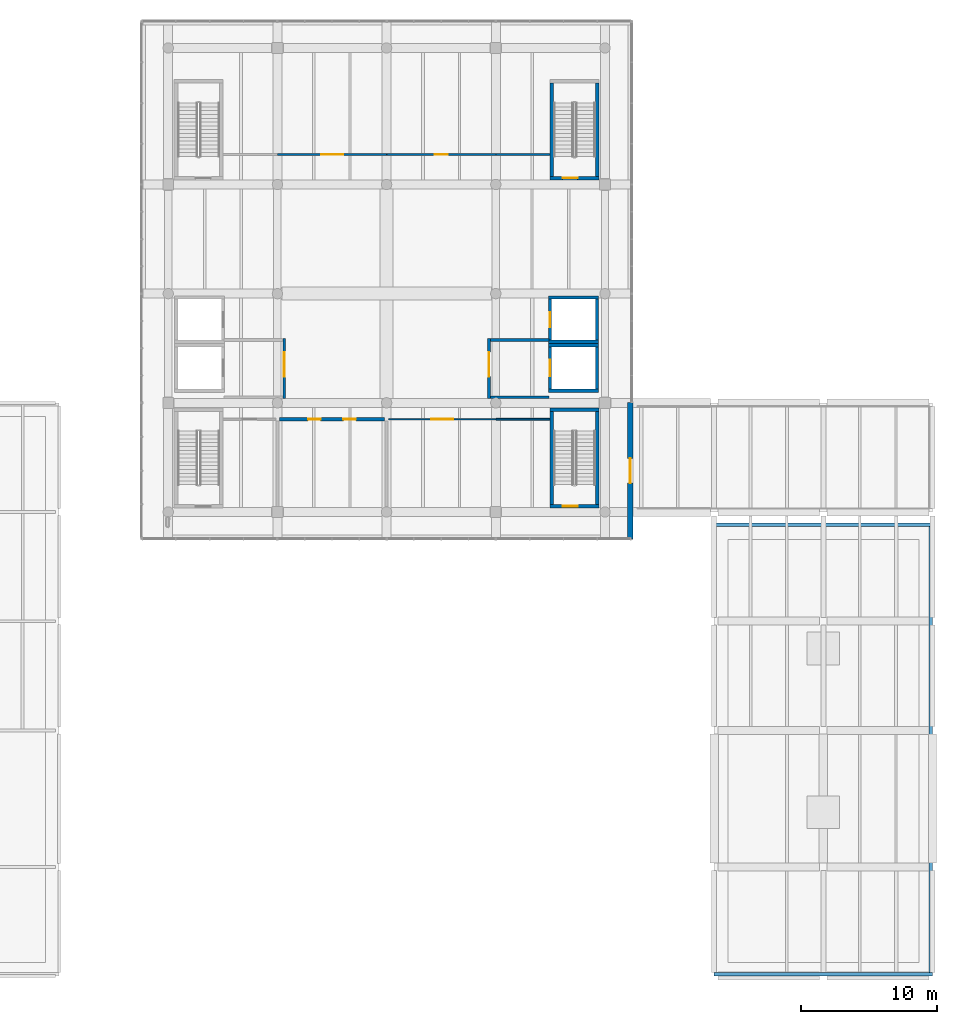
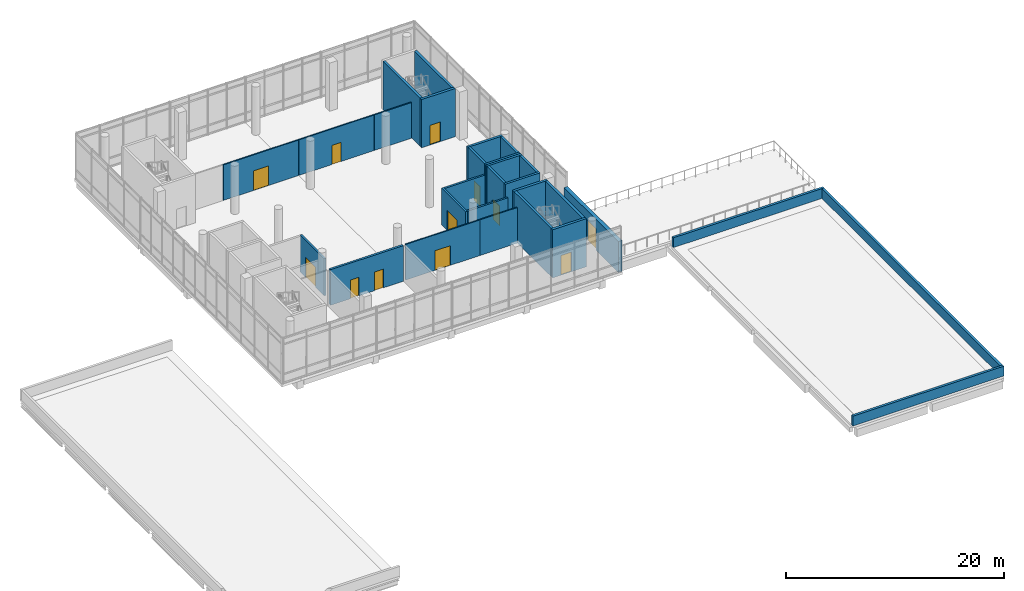
# One storey, part 14 of 20: 29 walls, 12 doors, 12 openings.
"""IFC4 building model written with IfcOpenShell, lengths in metres."""

from ifc_helpers import new_model, si_unit, direction, frame, frame_2d, origin, place, context, subcontext, project, spatial, rectangle, extrude, material, layer, layer_set, type_object, element, fill, save


model = new_model("IFC4")

# Units and contexts
model_context = context("Model", 3, precision=1e-05, world=origin(), true_north=direction((0.0, 1.0)))
body_context = subcontext(model_context, "Body", "Model", "MODEL_VIEW")
ifc_project = project(units=[si_unit("LENGTHUNIT", "METRE"), si_unit("AREAUNIT", "SQUARE_METRE"), si_unit("VOLUMEUNIT", "CUBIC_METRE"), si_unit("PLANEANGLEUNIT", "RADIAN"), si_unit("MASSUNIT", "GRAM", prefix="KILO")], contexts=[model_context])

# Site, building, storey
site_placement = place(None, origin())
site = spatial("IfcSite", under=ifc_project, at=site_placement, CompositionType="ELEMENT")
building_placement = place(site_placement, origin())
building = spatial("IfcBuilding", under=site, at=building_placement, Name="Pecanmere Concourse Central Library", CompositionType="ELEMENT")
storey_placement = place(building_placement, frame((0.0, 0.0, 24.89990234375)))
storey = spatial("IfcBuildingStorey", under=building, at=storey_placement, Name="L06", CompositionType="ELEMENT", Elevation=24.89990234375)

# Wall, opening, door
ifc_material_1 = material(Name="Texas cream limestone ashlar masonry", Category="masonry")
ifc_layer_1 = layer(ifc_material_1, 0.389892578125, Name="EW_LIME_390")
ifc_layer_set_1 = layer_set([ifc_layer_1], Name="Texas cream limestone ashlar masonry")
wall_type_1 = type_object("IfcWallType", Name="EW_LIME_390", PredefinedType="STANDARD", material=ifc_layer_set_1)
wall_1_placement = place(storey_placement, frame((105.846435546875, 88.03857421875, 0.0), z_axis=(0.0, 0.0, 1.0), x_axis=(0.0, 1.0, 0.0)))
wall_1 = element("IfcWall", 1, at=wall_1_placement, inside=storey, type_object=wall_type_1, Name="Limestone Facade Wall L06-0224", PredefinedType="STANDARD", context=body_context, shape_type="SweptSolid", body=[
    extrude(rectangle(XDim=9.971435546875, YDim=0.389892578125, at=frame_2d((4.98583984375, 0.0))), origin(), (0.0, 0.0, 1.0), 3.460205078125),
])
opening_1_placement = place(wall_1_placement, frame((4.085693359375, 0.0, 0.0)))
opening_1 = element("IfcOpeningElement", 2, at=opening_1_placement, cuts=wall_1, Name="Opening ED-03", PredefinedType="OPENING", context=body_context, shape_type="SweptSolid", body=[
    extrude(rectangle(XDim=1.800048828125, YDim=2.39990234375, at=frame_2d((0.89990234375, 1.199951171875))), frame((0.0, 0.20703125, 0.0), z_axis=(0.0, -1.0, 0.0), x_axis=(1.0, 0.0, 0.0)), (0.0, 0.0, 1.0), 0.413818359375),
])
ifc_material_2 = material(Name="Architectural anodized bronze")
door_type_1 = type_object("IfcDoorType", Name="ED-03", OperationType="DOUBLE_DOOR_SINGLE_SWING", PredefinedType="DOOR", material=ifc_material_2)
door_1_placement = place(opening_1_placement, frame((1.800048828125, 0.0, 0.0), z_axis=(0.0, 0.0, 1.0), x_axis=(-1.0, 0.0, 0.0)))
door_1 = element("IfcDoor", 3, at=door_1_placement, inside=storey, type_object=door_type_1, Name="ED-023", OperationType="DOUBLE_DOOR_SINGLE_SWING", OverallHeight=2.39990234375, OverallWidth=1.800048828125, PredefinedType="DOOR", context=body_context, shape_type="SweptSolid", body=[
    extrude(rectangle(XDim=1.800048828125, YDim=2.39990234375, at=frame_2d((0.89990234375, 1.199951171875))), frame((0.0, 0.02490234375, 0.0), z_axis=(0.0, -1.0, 0.0), x_axis=(1.0, 0.0, 0.0)), (0.0, 0.0, 1.0), 0.050048828125),
])
fill(opening_1, door_1)

ifc_material_3 = material(Name="Fire-rated gypsum board on acoustic steel stud", Category="steel")
ifc_layer_2 = layer(ifc_material_3, 0.135009765625, Name="IW_PART_135")
ifc_layer_set_2 = layer_set([ifc_layer_2], Name="Fire-rated gypsum board on acoustic steel stud")
wall_type_2 = type_object("IfcWallType", Name="IW_PART_135", PredefinedType="PARTITIONING", material=ifc_layer_set_2)
wall_2_placement = place(storey_placement, frame((88.139892578125, 96.800048828125, 0.0), z_axis=(0.0, 0.0, 1.0), x_axis=(1.0, 0.0, 0.0)))
wall_2 = element("IfcWall", 4, at=wall_2_placement, inside=storey, type_object=wall_type_2, Name="Interior Partition L06-0220", PredefinedType="PARTITIONING", context=body_context, shape_type="SweptSolid", body=[
    extrude(rectangle(XDim=7.860107421875, YDim=0.135009765625, at=frame_2d((3.93017578125, 0.0))), origin(), (0.0, 0.0, 1.0), 3.989990234375),
])
opening_2_placement = place(wall_2_placement, frame((3.1298828125, 0.0, 0.0)))
opening_2 = element("IfcOpeningElement", 5, at=opening_2_placement, cuts=wall_2, Name="Opening DT-02", PredefinedType="OPENING", context=body_context, shape_type="SweptSolid", body=[
    extrude(rectangle(XDim=1.60009765625, YDim=2.199951171875, at=frame_2d((0.800048828125, 1.10009765625))), frame((0.0, 0.07958984375, 0.0), z_axis=(0.0, -1.0, 0.0), x_axis=(1.0, 0.0, 0.0)), (0.0, 0.0, 1.0), 0.158935546875),
])
ifc_material_4 = material(Name="Solid white oak architectural joinery")
door_type_2 = type_object("IfcDoorType", Name="DT-02", OperationType="DOUBLE_DOOR_SINGLE_SWING", PredefinedType="DOOR", material=ifc_material_4)
door_2_placement = place(opening_2_placement, origin())
door_2 = element("IfcDoor", 6, at=door_2_placement, inside=storey, type_object=door_type_2, Name="D-238", OperationType="DOUBLE_DOOR_SINGLE_SWING", OverallHeight=2.199951171875, OverallWidth=1.60009765625, PredefinedType="DOOR", context=body_context, shape_type="SweptSolid", body=[
    extrude(rectangle(XDim=1.60009765625, YDim=2.199951171875, at=frame_2d((0.800048828125, 1.10009765625))), frame((0.0, 0.02490234375, 0.0), z_axis=(0.0, -1.0, 0.0), x_axis=(1.0, 0.0, 0.0)), (0.0, 0.0, 1.0), 0.050048828125),
])
fill(opening_2, door_2)

# Wall
wall_3_placement = place(storey_placement, frame((96.02001953125, 96.800048828125, 0.0), z_axis=(0.0, 0.0, 1.0), x_axis=(1.0, 0.0, 0.0)))
element("IfcWall", 7, at=wall_3_placement, inside=storey, type_object=wall_type_2, Name="Interior Partition L06-0221", PredefinedType="PARTITIONING", context=body_context, shape_type="SweptSolid", body=[
    extrude(rectangle(XDim=3.949951171875, YDim=0.135009765625, at=frame_2d((1.97509765625, 0.0))), origin(), (0.0, 0.0, 1.0), 3.989990234375),
])

# Wall, opening, door
wall_4_placement = place(storey_placement, frame((80.02001953125, 116.199951171875, 0.0), z_axis=(0.0, 0.0, 1.0), x_axis=(1.0, 0.0, 0.0)))
wall_4 = element("IfcWall", 8, at=wall_4_placement, inside=storey, type_object=wall_type_2, Name="Interior Partition L06-0223", PredefinedType="PARTITIONING", context=body_context, shape_type="SweptSolid", body=[
    extrude(rectangle(XDim=7.97998046875, YDim=0.135009765625, at=frame_2d((3.989990234375, 0.0))), origin(), (0.0, 0.0, 1.0), 3.989990234375),
])
opening_3_placement = place(wall_4_placement, frame((3.18994140625, 0.0, 0.0)))
opening_3 = element("IfcOpeningElement", 9, at=opening_3_placement, cuts=wall_4, Name="Opening DT-02", PredefinedType="OPENING", context=body_context, shape_type="SweptSolid", body=[
    extrude(rectangle(XDim=1.60009765625, YDim=2.199951171875, at=frame_2d((0.800048828125, 1.10009765625))), frame((0.0, 0.07958984375, 0.0), z_axis=(0.0, -1.0, 0.0), x_axis=(1.0, 0.0, 0.0)), (0.0, 0.0, 1.0), 0.158935546875),
])
door_3_placement = place(opening_3_placement, frame((1.60009765625, 0.0, 0.0), z_axis=(0.0, 0.0, 1.0), x_axis=(-1.0, 0.0, 0.0)))
door_3 = element("IfcDoor", 10, at=door_3_placement, inside=storey, type_object=door_type_2, Name="D-239", OperationType="DOUBLE_DOOR_SINGLE_SWING", OverallHeight=2.199951171875, OverallWidth=1.60009765625, PredefinedType="DOOR", context=body_context, shape_type="SweptSolid", body=[
    extrude(rectangle(XDim=1.60009765625, YDim=2.199951171875, at=frame_2d((0.800048828125, 1.10009765625))), frame((0.0, 0.02490234375, 0.0), z_axis=(0.0, -1.0, 0.0), x_axis=(1.0, 0.0, 0.0)), (0.0, 0.0, 1.0), 0.050048828125),
])
fill(opening_3, door_3)

wall_5_placement = place(storey_placement, frame((88.02001953125, 116.199951171875, 0.0), z_axis=(0.0, 0.0, 1.0), x_axis=(1.0, 0.0, 0.0)))
wall_5 = element("IfcWall", 11, at=wall_5_placement, inside=storey, type_object=wall_type_2, Name="Interior Partition L06-0224", PredefinedType="PARTITIONING", context=body_context, shape_type="SweptSolid", body=[
    extrude(rectangle(XDim=7.97998046875, YDim=0.135009765625, at=frame_2d((3.989990234375, 0.0))), origin(), (0.0, 0.0, 1.0), 3.989990234375),
])
opening_4_placement = place(wall_5_placement, frame((3.514892578125, 0.0, 0.0)))
opening_4 = element("IfcOpeningElement", 12, at=opening_4_placement, cuts=wall_5, Name="Opening DT-06", PredefinedType="OPENING", context=body_context, shape_type="SweptSolid", body=[
    extrude(rectangle(XDim=0.949951171875, YDim=2.14990234375, at=frame_2d((0.47509765625, 1.074951171875))), frame((0.0, 0.07958984375, 0.0), z_axis=(0.0, -1.0, 0.0), x_axis=(1.0, 0.0, 0.0)), (0.0, 0.0, 1.0), 0.158935546875),
])
ifc_material_5 = material(Name="Solid white oak architectural joinery")
door_type_3 = type_object("IfcDoorType", Name="DT-06", OperationType="SINGLE_SWING_RIGHT", PredefinedType="DOOR", material=ifc_material_5)
door_4_placement = place(opening_4_placement, origin())
door_4 = element("IfcDoor", 13, at=door_4_placement, inside=storey, type_object=door_type_3, Name="D-240", OperationType="SINGLE_SWING_RIGHT", OverallHeight=2.14990234375, OverallWidth=0.949951171875, PredefinedType="DOOR", context=body_context, shape_type="SweptSolid", body=[
    extrude(rectangle(XDim=0.949951171875, YDim=2.14990234375, at=frame_2d((0.47509765625, 1.074951171875))), frame((0.0, 0.02490234375, 0.0), z_axis=(0.0, -1.0, 0.0), x_axis=(1.0, 0.0, 0.0)), (0.0, 0.0, 1.0), 0.050048828125),
])
fill(opening_4, door_4)

# Wall
wall_6_placement = place(storey_placement, frame((96.02001953125, 116.199951171875, 0.0), z_axis=(0.0, 0.0, 1.0), x_axis=(1.0, 0.0, 0.0)))
element("IfcWall", 14, at=wall_6_placement, inside=storey, type_object=wall_type_2, Name="Interior Partition L06-0225", PredefinedType="PARTITIONING", context=body_context, shape_type="SweptSolid", body=[
    extrude(rectangle(XDim=3.949951171875, YDim=0.135009765625, at=frame_2d((1.97509765625, 0.0))), origin(), (0.0, 0.0, 1.0), 3.989990234375),
])

# Wall, opening, door
ifc_material_6 = material(Name="Fire-rated gypsum board on acoustic steel stud", Category="steel")
ifc_layer_3 = layer(ifc_material_6, 0.199951171875, Name="IW_PART_200")
ifc_layer_set_3 = layer_set([ifc_layer_3], Name="Fire-rated gypsum board on acoustic steel stud")
wall_type_3 = type_object("IfcWallType", Name="IW_PART_200", PredefinedType="PARTITIONING", material=ifc_layer_set_3)
wall_7_placement = place(storey_placement, frame((80.5, 98.300048828125, 0.0), z_axis=(0.0, 0.0, 1.0), x_axis=(0.0, 1.0, 0.0)))
wall_7 = element("IfcWall", 15, at=wall_7_placement, inside=storey, type_object=wall_type_3, Name="Firefighting Lobby Door Wall W-L06", PredefinedType="PARTITIONING", context=body_context, shape_type="SweptSolid", body=[
    extrude(rectangle(XDim=4.39990234375, YDim=0.199951171875, at=frame_2d((2.199951171875, 0.0))), origin(), (0.0, 0.0, 1.0), 4.16015625),
])
opening_5_placement = place(wall_7_placement, frame((1.6201171875, 0.0, 0.0)))
opening_5 = element("IfcOpeningElement", 16, at=opening_5_placement, cuts=wall_7, Name="Opening FD-03", PredefinedType="OPENING", context=body_context, shape_type="SweptSolid", body=[
    extrude(rectangle(XDim=1.800048828125, YDim=2.25, at=frame_2d((0.89990234375, 1.125))), frame((0.0, 0.11181640625, 0.0), z_axis=(0.0, -1.0, 0.0), x_axis=(1.0, 0.0, 0.0)), (0.0, 0.0, 1.0), 0.223876953125),
])
ifc_material_7 = material(Name="Painted architectural steel ASTM A36", Category="steel")
door_type_4 = type_object("IfcDoorType", Name="FD-03", OperationType="DOUBLE_DOOR_SINGLE_SWING", PredefinedType="DOOR", material=ifc_material_7)
door_5_placement = place(opening_5_placement, origin())
door_5 = element("IfcDoor", 17, at=door_5_placement, inside=storey, type_object=door_type_4, Name="D-121", OperationType="DOUBLE_DOOR_SINGLE_SWING", OverallHeight=2.25, OverallWidth=1.800048828125, PredefinedType="DOOR", context=body_context, shape_type="SweptSolid", body=[
    extrude(rectangle(XDim=1.800048828125, YDim=2.25, at=frame_2d((0.89990234375, 1.125))), frame((0.0, 0.02490234375, 0.0), z_axis=(0.0, -1.0, 0.0), x_axis=(1.0, 0.0, 0.0)), (0.0, 0.0, 1.0), 0.050048828125),
])
fill(opening_5, door_5)

# Walls
for number, where, z_axis, x_axis, name in (
    (18, (95.6201171875, 98.39990234375, 0.0), (0.0, 0.0, 1.0), (1.0, 0.0, 0.0), "Firefighting Lobby Wall E-L06-S"),
    (19, (95.6201171875, 102.60009765625, 0.0), (0.0, 0.0, 1.0), (1.0, 0.0, 0.0), "Firefighting Lobby Wall E-L06-N"),
):
    element("IfcWall", number, at=place(storey_placement, frame(where, z_axis=z_axis, x_axis=x_axis)), inside=storey, type_object=wall_type_3, Name=name, PredefinedType="PARTITIONING", context=body_context, shape_type="SweptSolid", body=[
        extrude(rectangle(XDim=4.27978515625, YDim=0.199951171875, at=frame_2d((2.139892578125, 0.0))), origin(), (0.0, 0.0, 1.0), 4.16015625),
    ])

# Wall, opening, door
wall_8_placement = place(storey_placement, frame((95.5, 98.300048828125, 0.0), z_axis=(0.0, 0.0, 1.0), x_axis=(0.0, 1.0, 0.0)))
wall_8 = element("IfcWall", 20, at=wall_8_placement, inside=storey, type_object=wall_type_3, Name="Firefighting Lobby Door Wall E-L06", PredefinedType="PARTITIONING", context=body_context, shape_type="SweptSolid", body=[
    extrude(rectangle(XDim=4.39990234375, YDim=0.199951171875, at=frame_2d((2.199951171875, 0.0))), origin(), (0.0, 0.0, 1.0), 4.16015625),
])
opening_6_placement = place(wall_8_placement, frame((1.6201171875, 0.0, 0.0)))
opening_6 = element("IfcOpeningElement", 21, at=opening_6_placement, cuts=wall_8, Name="Opening FD-03", PredefinedType="OPENING", context=body_context, shape_type="SweptSolid", body=[
    extrude(rectangle(XDim=1.800048828125, YDim=2.25, at=frame_2d((0.89990234375, 1.125))), frame((0.0, 0.11181640625, 0.0), z_axis=(0.0, -1.0, 0.0), x_axis=(1.0, 0.0, 0.0)), (0.0, 0.0, 1.0), 0.223876953125),
])
door_6_placement = place(opening_6_placement, origin())
door_6 = element("IfcDoor", 22, at=door_6_placement, inside=storey, type_object=door_type_4, Name="D-122", OperationType="DOUBLE_DOOR_SINGLE_SWING", OverallHeight=2.25, OverallWidth=1.800048828125, PredefinedType="DOOR", context=body_context, shape_type="SweptSolid", body=[
    extrude(rectangle(XDim=1.800048828125, YDim=2.25, at=frame_2d((0.89990234375, 1.125))), frame((0.0, 0.02490234375, 0.0), z_axis=(0.0, -1.0, 0.0), x_axis=(1.0, 0.0, 0.0)), (0.0, 0.0, 1.0), 0.050048828125),
])
fill(opening_6, door_6)

# Wall, openings, doors
ifc_material_8 = material(Name="Concrete masonry unit ASTM C90", Category="masonry")
ifc_layer_4 = layer(ifc_material_8, 0.22509765625, Name="IW_PLUMB_225")
ifc_layer_set_4 = layer_set([ifc_layer_4], Name="Concrete masonry unit ASTM C90")
wall_type_4 = type_object("IfcWallType", Name="IW_PLUMB_225", PredefinedType="PARTITIONING", material=ifc_layer_set_4)
wall_9_placement = place(storey_placement, frame((80.139892578125, 96.800048828125, 0.0), z_axis=(0.0, 0.0, 1.0), x_axis=(1.0, 0.0, 0.0)))
wall_9 = element("IfcWall", 23, at=wall_9_placement, inside=storey, type_object=wall_type_4, Name="Interior Partition L06-0218", PredefinedType="PARTITIONING", context=body_context, shape_type="SweptSolid", body=[
    extrude(rectangle(XDim=7.72021484375, YDim=0.22509765625, at=frame_2d((3.860107421875, 0.0))), origin(), (0.0, 0.0, 1.0), 3.989990234375),
])
opening_7_placement = place(wall_9_placement, frame((2.11328125, 0.0, 0.0)))
opening_7 = element("IfcOpeningElement", 24, at=opening_7_placement, cuts=wall_9, Name="Opening DT-07", PredefinedType="OPENING", context=body_context, shape_type="SweptSolid", body=[
    extrude(rectangle(XDim=0.919921875, YDim=2.10009765625, at=frame_2d((0.4599609375, 1.050048828125))), frame((0.0, 0.12451171875, 0.0), z_axis=(0.0, -1.0, 0.0), x_axis=(1.0, 0.0, 0.0)), (0.0, 0.0, 1.0), 0.2490234375),
])
opening_8_placement = place(wall_9_placement, frame((4.686767578125, 0.0, 0.0)))
opening_8 = element("IfcOpeningElement", 25, at=opening_8_placement, cuts=wall_9, Name="Opening DT-08", PredefinedType="OPENING", context=body_context, shape_type="SweptSolid", body=[
    extrude(rectangle(XDim=0.919921875, YDim=2.10009765625, at=frame_2d((0.4599609375, 1.050048828125))), frame((0.0, 0.12451171875, 0.0), z_axis=(0.0, -1.0, 0.0), x_axis=(1.0, 0.0, 0.0)), (0.0, 0.0, 1.0), 0.2490234375),
])
ifc_material_9 = material(Name="Solid white oak architectural joinery")
door_type_5 = type_object("IfcDoorType", Name="DT-07", OperationType="SINGLE_SWING_LEFT", PredefinedType="DOOR", material=ifc_material_9)
door_7_placement = place(opening_7_placement, frame((0.919921875, 0.0, 0.0), z_axis=(0.0, 0.0, 1.0), x_axis=(-1.0, 0.0, 0.0)))
door_7 = element("IfcDoor", 26, at=door_7_placement, inside=storey, type_object=door_type_5, Name="D-235", OperationType="SINGLE_SWING_LEFT", OverallHeight=2.10009765625, OverallWidth=0.919921875, PredefinedType="DOOR", context=body_context, shape_type="SweptSolid", body=[
    extrude(rectangle(XDim=0.919921875, YDim=2.10009765625, at=frame_2d((0.4599609375, 1.050048828125))), frame((0.0, 0.02490234375, 0.0), z_axis=(0.0, -1.0, 0.0), x_axis=(1.0, 0.0, 0.0)), (0.0, 0.0, 1.0), 0.050048828125),
])
fill(opening_7, door_7)
ifc_material_10 = material(Name="Solid white oak architectural joinery")
door_type_6 = type_object("IfcDoorType", Name="DT-08", OperationType="SINGLE_SWING_RIGHT", PredefinedType="DOOR", material=ifc_material_10)
door_8_placement = place(opening_8_placement, origin())
door_8 = element("IfcDoor", 27, at=door_8_placement, inside=storey, type_object=door_type_6, Name="D-236", OperationType="SINGLE_SWING_RIGHT", OverallHeight=2.10009765625, OverallWidth=0.919921875, PredefinedType="DOOR", context=body_context, shape_type="SweptSolid", body=[
    extrude(rectangle(XDim=0.919921875, YDim=2.10009765625, at=frame_2d((0.4599609375, 1.050048828125))), frame((0.0, 0.02490234375, 0.0), z_axis=(0.0, -1.0, 0.0), x_axis=(1.0, 0.0, 0.0)), (0.0, 0.0, 1.0), 0.050048828125),
])
fill(opening_8, door_8)

# Walls
ifc_material_11 = material(Name="Texas cream limestone ashlar masonry", Category="masonry")
ifc_layer_5 = layer(ifc_material_11, 0.25, Name="PW_PARA_250")
ifc_layer_set_5 = layer_set([ifc_layer_5], Name="Texas cream limestone ashlar masonry")
wall_type_5 = type_object("IfcWallType", Name="PW_PARA_250", PredefinedType="PARAPET", material=ifc_layer_set_5)
wall_10_placement = place(storey_placement, frame((112.0, 56.125, 0.0), z_axis=(0.0, 0.0, 1.0), x_axis=(1.0, 0.0, 0.0)))
element("IfcWall", 28, at=wall_10_placement, inside=storey, type_object=wall_type_5, Name="Limestone Roof Parapet L06-05", PredefinedType="PARAPET", context=body_context, shape_type="SweptSolid", body=[
    extrude(rectangle(XDim=16.0, YDim=0.25, at=frame_2d((8.0, 0.0))), origin(), (0.0, 0.0, 1.0), 1.10009765625),
])
wall_11_placement = place(storey_placement, frame((127.875, 56.25, 0.0), z_axis=(0.0, 0.0, 1.0), x_axis=(0.0, 1.0, 0.0)))
element("IfcWall", 29, at=wall_11_placement, inside=storey, type_object=wall_type_5, Name="Limestone Roof Parapet L06-06", PredefinedType="PARAPET", context=body_context, shape_type="SweptSolid", body=[
    extrude(rectangle(XDim=32.824951171875, YDim=0.25, at=frame_2d((16.41259765625, 0.0))), origin(), (0.0, 0.0, 1.0), 1.10009765625),
])
wall_12_placement = place(storey_placement, frame((112.0, 89.074951171875, 0.0), z_axis=(0.0, 0.0, 1.0), x_axis=(1.0, 0.0, 0.0)))
element("IfcWall", 30, at=wall_12_placement, inside=storey, type_object=wall_type_5, Name="Limestone Roof Parapet L06-07", PredefinedType="PARAPET", context=body_context, shape_type="SweptSolid", body=[
    extrude(rectangle(XDim=16.0, YDim=0.25, at=frame_2d((8.0, 0.0))), origin(), (0.0, 0.0, 1.0), 1.10009765625),
])
ifc_material_12 = material(Name="Concrete C40/50", Category="concrete")
ifc_layer_6 = layer(ifc_material_12, 0.239990234375, Name="WALL_SLD_240")
ifc_layer_set_6 = layer_set([ifc_layer_6], Name="Concrete C40/50")
wall_type_6 = type_object("IfcWallType", Name="WALL_SLD_240", PredefinedType="SOLIDWALL", material=ifc_layer_set_6)
for number, where, z_axis, x_axis, name in (
    (31, (99.860107421875, 98.8798828125, 0.0), (0.0, 0.0, 1.0), (1.0, 0.0, 0.0), "Hoistway Wall LF-02 L06-S"),
    (32, (99.860107421875, 102.219970703125, 0.0), (0.0, 0.0, 1.0), (1.0, 0.0, 0.0), "Hoistway Wall LF-02 L06-N"),
):
    element("IfcWall", number, at=place(storey_placement, frame(where, z_axis=z_axis, x_axis=x_axis)), inside=storey, type_object=wall_type_6, Name=name, PredefinedType="SOLIDWALL", context=body_context, shape_type="SweptSolid", body=[
        extrude(rectangle(XDim=3.679931640625, YDim=0.239990234375, at=frame_2d((1.83984375, 0.0))), origin(), (0.0, 0.0, 1.0), 5.400146484375),
    ])

# Wall, opening, door
wall_13_placement = place(storey_placement, frame((99.97998046875, 99.0, 0.0), z_axis=(0.0, 0.0, 1.0), x_axis=(0.0, 1.0, 0.0)))
wall_13 = element("IfcWall", 33, at=wall_13_placement, inside=storey, type_object=wall_type_6, Name="Hoistway Wall LF-02 L06-W", PredefinedType="SOLIDWALL", context=body_context, shape_type="SweptSolid", body=[
    extrude(rectangle(XDim=3.10009765625, YDim=0.239990234375, at=frame_2d((1.550048828125, 0.0))), origin(), (0.0, 0.0, 1.0), 5.400146484375),
])
opening_9_placement = place(wall_13_placement, frame((0.949951171875, 0.0, 0.0)))
opening_9 = element("IfcOpeningElement", 34, at=opening_9_placement, cuts=wall_13, Name="Opening LD-02", PredefinedType="OPENING", context=body_context, shape_type="SweptSolid", body=[
    extrude(rectangle(XDim=1.199951171875, YDim=2.199951171875, at=frame_2d((0.60009765625, 1.10009765625))), frame((0.0, 0.1318359375, 0.0), z_axis=(0.0, -1.0, 0.0), x_axis=(1.0, 0.0, 0.0)), (0.0, 0.0, 1.0), 0.263916015625),
])
ifc_material_13 = material(Name="Brushed stainless steel Grade 316", Category="steel")
door_type_7 = type_object("IfcDoorType", Name="LD-02", OperationType="DOUBLE_DOOR_SLIDING", PredefinedType="DOOR", material=ifc_material_13)
door_9_placement = place(opening_9_placement, origin())
door_9 = element("IfcDoor", 35, at=door_9_placement, inside=storey, type_object=door_type_7, Name="LD-LF-02-L06", OperationType="DOUBLE_DOOR_SLIDING", OverallHeight=2.199951171875, OverallWidth=1.199951171875, PredefinedType="DOOR", context=body_context, shape_type="SweptSolid", body=[
    extrude(rectangle(XDim=1.199951171875, YDim=2.199951171875, at=frame_2d((0.60009765625, 1.10009765625))), frame((0.0, 0.02490234375, 0.0), z_axis=(0.0, -1.0, 0.0), x_axis=(1.0, 0.0, 0.0)), (0.0, 0.0, 1.0), 0.050048828125),
])
fill(opening_9, door_9)

# Walls
wall_14_placement = place(storey_placement, frame((103.419921875, 99.0, 0.0), z_axis=(0.0, 0.0, 1.0), x_axis=(0.0, 1.0, 0.0)))
element("IfcWall", 36, at=wall_14_placement, inside=storey, type_object=wall_type_6, Name="Hoistway Wall LF-02 L06-E", PredefinedType="SOLIDWALL", context=body_context, shape_type="SweptSolid", body=[
    extrude(rectangle(XDim=3.10009765625, YDim=0.239990234375, at=frame_2d((1.550048828125, 0.0))), origin(), (0.0, 0.0, 1.0), 5.400146484375),
])
for number, where, z_axis, x_axis, name in (
    (37, (99.860107421875, 102.47998046875, 0.0), (0.0, 0.0, 1.0), (1.0, 0.0, 0.0), "Hoistway Wall LP-02 L06-S"),
    (38, (99.860107421875, 105.719970703125, 0.0), (0.0, 0.0, 1.0), (1.0, 0.0, 0.0), "Hoistway Wall LP-02 L06-N"),
):
    element("IfcWall", number, at=place(storey_placement, frame(where, z_axis=z_axis, x_axis=x_axis)), inside=storey, type_object=wall_type_6, Name=name, PredefinedType="SOLIDWALL", context=body_context, shape_type="SweptSolid", body=[
        extrude(rectangle(XDim=3.679931640625, YDim=0.239990234375, at=frame_2d((1.83984375, 0.0))), origin(), (0.0, 0.0, 1.0), 5.400146484375),
    ])

# Wall, opening, door
wall_15_placement = place(storey_placement, frame((99.97998046875, 102.60009765625, 0.0), z_axis=(0.0, 0.0, 1.0), x_axis=(0.0, 1.0, 0.0)))
wall_15 = element("IfcWall", 39, at=wall_15_placement, inside=storey, type_object=wall_type_6, Name="Hoistway Wall LP-02 L06-W", PredefinedType="SOLIDWALL", context=body_context, shape_type="SweptSolid", body=[
    extrude(rectangle(XDim=3.0, YDim=0.239990234375, at=frame_2d((1.5, 0.0))), origin(), (0.0, 0.0, 1.0), 5.400146484375),
])
opening_10_placement = place(wall_15_placement, frame((0.949951171875, 0.0, 0.0)))
opening_10 = element("IfcOpeningElement", 40, at=opening_10_placement, cuts=wall_15, Name="Opening LD-01", PredefinedType="OPENING", context=body_context, shape_type="SweptSolid", body=[
    extrude(rectangle(XDim=1.10009765625, YDim=2.199951171875, at=frame_2d((0.550048828125, 1.10009765625))), frame((0.0, 0.1318359375, 0.0), z_axis=(0.0, -1.0, 0.0), x_axis=(1.0, 0.0, 0.0)), (0.0, 0.0, 1.0), 0.263916015625),
])
ifc_material_14 = material(Name="Brushed stainless steel Grade 316", Category="steel")
door_type_8 = type_object("IfcDoorType", Name="LD-01", OperationType="DOUBLE_DOOR_SLIDING", PredefinedType="DOOR", material=ifc_material_14)
door_10_placement = place(opening_10_placement, origin())
door_10 = element("IfcDoor", 41, at=door_10_placement, inside=storey, type_object=door_type_8, Name="LD-LP-02-L06", OperationType="DOUBLE_DOOR_SLIDING", OverallHeight=2.199951171875, OverallWidth=1.10009765625, PredefinedType="DOOR", context=body_context, shape_type="SweptSolid", body=[
    extrude(rectangle(XDim=1.10009765625, YDim=2.199951171875, at=frame_2d((0.550048828125, 1.10009765625))), frame((0.0, 0.02490234375, 0.0), z_axis=(0.0, -1.0, 0.0), x_axis=(1.0, 0.0, 0.0)), (0.0, 0.0, 1.0), 0.050048828125),
])
fill(opening_10, door_10)

# Wall
wall_16_placement = place(storey_placement, frame((103.419921875, 102.60009765625, 0.0), z_axis=(0.0, 0.0, 1.0), x_axis=(0.0, 1.0, 0.0)))
element("IfcWall", 42, at=wall_16_placement, inside=storey, type_object=wall_type_6, Name="Hoistway Wall LP-02 L06-E", PredefinedType="SOLIDWALL", context=body_context, shape_type="SweptSolid", body=[
    extrude(rectangle(XDim=3.0, YDim=0.239990234375, at=frame_2d((1.5, 0.0))), origin(), (0.0, 0.0, 1.0), 5.400146484375),
])

# Wall, opening, door
ifc_material_15 = material(Name="Concrete C40/50", Category="concrete")
ifc_layer_7 = layer(ifc_material_15, 0.260009765625, Name="WALL_SLD_260")
ifc_layer_set_7 = layer_set([ifc_layer_7], Name="Concrete C40/50")
wall_type_7 = type_object("IfcWallType", Name="WALL_SLD_260", PredefinedType="SOLIDWALL", material=ifc_layer_set_7)
wall_17_placement = place(storey_placement, frame((99.97998046875, 90.419921875, 0.0), z_axis=(0.0, 0.0, 1.0), x_axis=(1.0, 0.0, 0.0)))
wall_17 = element("IfcWall", 43, at=wall_17_placement, inside=storey, type_object=wall_type_7, Name="Core C2 South Wall L06", PredefinedType="SOLIDWALL", context=body_context, shape_type="SweptSolid", body=[
    extrude(rectangle(XDim=3.580078125, YDim=0.260009765625, at=frame_2d((1.7900390625, 0.0))), origin(), (0.0, 0.0, 1.0), 5.400146484375),
])
opening_11_placement = place(wall_17_placement, frame((0.919921875, 0.0, 0.0)))
opening_11 = element("IfcOpeningElement", 44, at=opening_11_placement, cuts=wall_17, Name="Opening FD-01", PredefinedType="OPENING", context=body_context, shape_type="SweptSolid", body=[
    extrude(rectangle(XDim=1.10009765625, YDim=2.199951171875, at=frame_2d((0.550048828125, 1.10009765625))), frame((0.0, 0.14208984375, 0.0), z_axis=(0.0, -1.0, 0.0), x_axis=(1.0, 0.0, 0.0)), (0.0, 0.0, 1.0), 0.283935546875),
])
ifc_material_16 = material(Name="Painted architectural steel ASTM A36", Category="steel")
door_type_9 = type_object("IfcDoorType", Name="FD-01", OperationType="SINGLE_SWING_LEFT", PredefinedType="DOOR", material=ifc_material_16)
door_11_placement = place(opening_11_placement, origin())
door_11 = element("IfcDoor", 45, at=door_11_placement, inside=storey, type_object=door_type_9, Name="D-015", OperationType="SINGLE_SWING_LEFT", OverallHeight=2.199951171875, OverallWidth=1.10009765625, PredefinedType="DOOR", context=body_context, shape_type="SweptSolid", body=[
    extrude(rectangle(XDim=1.10009765625, YDim=2.199951171875, at=frame_2d((0.550048828125, 1.10009765625))), frame((0.0, 0.02490234375, 0.0), z_axis=(0.0, -1.0, 0.0), x_axis=(1.0, 0.0, 0.0)), (0.0, 0.0, 1.0), 0.050048828125),
])
fill(opening_11, door_11)

# Walls
wall_18_placement = place(storey_placement, frame((99.97998046875, 97.5, 0.0), z_axis=(0.0, 0.0, 1.0), x_axis=(1.0, 0.0, 0.0)))
element("IfcWall", 46, at=wall_18_placement, inside=storey, type_object=wall_type_7, Name="Core C2 North Wall L06", PredefinedType="SOLIDWALL", context=body_context, shape_type="SweptSolid", body=[
    extrude(rectangle(XDim=3.580078125, YDim=0.260009765625, at=frame_2d((1.7900390625, 0.0))), origin(), (0.0, 0.0, 1.0), 5.400146484375),
])
for number, where, z_axis, x_axis, name in (
    (47, (100.110107421875, 90.550048828125, 0.0), (0.0, 0.0, 1.0), (0.0, 1.0, 0.0), "Core C2 W Wall L06"),
    (48, (103.429931640625, 90.550048828125, 0.0), (0.0, 0.0, 1.0), (0.0, 1.0, 0.0), "Core C2 E Wall L06"),
):
    element("IfcWall", number, at=place(storey_placement, frame(where, z_axis=z_axis, x_axis=x_axis)), inside=storey, type_object=wall_type_7, Name=name, PredefinedType="SOLIDWALL", context=body_context, shape_type="SweptSolid", body=[
        extrude(rectangle(XDim=6.820068359375, YDim=0.260009765625, at=frame_2d((3.41015625, 0.0))), origin(), (0.0, 0.0, 1.0), 5.400146484375),
    ])

# Wall, opening, door
wall_19_placement = place(storey_placement, frame((99.97998046875, 114.469970703125, 0.0), z_axis=(0.0, 0.0, 1.0), x_axis=(1.0, 0.0, 0.0)))
wall_19 = element("IfcWall", 49, at=wall_19_placement, inside=storey, type_object=wall_type_7, Name="Core C4 South Wall L06", PredefinedType="SOLIDWALL", context=body_context, shape_type="SweptSolid", body=[
    extrude(rectangle(XDim=3.580078125, YDim=0.260009765625, at=frame_2d((1.7900390625, 0.0))), origin(), (0.0, 0.0, 1.0), 5.400146484375),
])
opening_12_placement = place(wall_19_placement, frame((0.919921875, 0.0, 0.0)))
opening_12 = element("IfcOpeningElement", 50, at=opening_12_placement, cuts=wall_19, Name="Opening FD-01", PredefinedType="OPENING", context=body_context, shape_type="SweptSolid", body=[
    extrude(rectangle(XDim=1.10009765625, YDim=2.199951171875, at=frame_2d((0.550048828125, 1.10009765625))), frame((0.0, 0.14208984375, 0.0), z_axis=(0.0, -1.0, 0.0), x_axis=(1.0, 0.0, 0.0)), (0.0, 0.0, 1.0), 0.283935546875),
])
door_12_placement = place(opening_12_placement, origin())
door_12 = element("IfcDoor", 51, at=door_12_placement, inside=storey, type_object=door_type_9, Name="D-031", OperationType="SINGLE_SWING_LEFT", OverallHeight=2.199951171875, OverallWidth=1.10009765625, PredefinedType="DOOR", context=body_context, shape_type="SweptSolid", body=[
    extrude(rectangle(XDim=1.10009765625, YDim=2.199951171875, at=frame_2d((0.550048828125, 1.10009765625))), frame((0.0, 0.02490234375, 0.0), z_axis=(0.0, -1.0, 0.0), x_axis=(1.0, 0.0, 0.0)), (0.0, 0.0, 1.0), 0.050048828125),
])
fill(opening_12, door_12)

# Walls
for number, where, z_axis, x_axis, name in (
    (52, (100.110107421875, 114.60009765625, 0.0), (0.0, 0.0, 1.0), (0.0, 1.0, 0.0), "Core C4 W Wall L06"),
    (53, (103.429931640625, 114.60009765625, 0.0), (0.0, 0.0, 1.0), (0.0, 1.0, 0.0), "Core C4 E Wall L06"),
):
    element("IfcWall", number, at=place(storey_placement, frame(where, z_axis=z_axis, x_axis=x_axis)), inside=storey, type_object=wall_type_7, Name=name, PredefinedType="SOLIDWALL", context=body_context, shape_type="SweptSolid", body=[
        extrude(rectangle(XDim=6.81982421875, YDim=0.260009765625, at=frame_2d((3.409912109375, 0.0))), origin(), (0.0, 0.0, 1.0), 5.400146484375),
    ])

save(model, "model.ifc")
